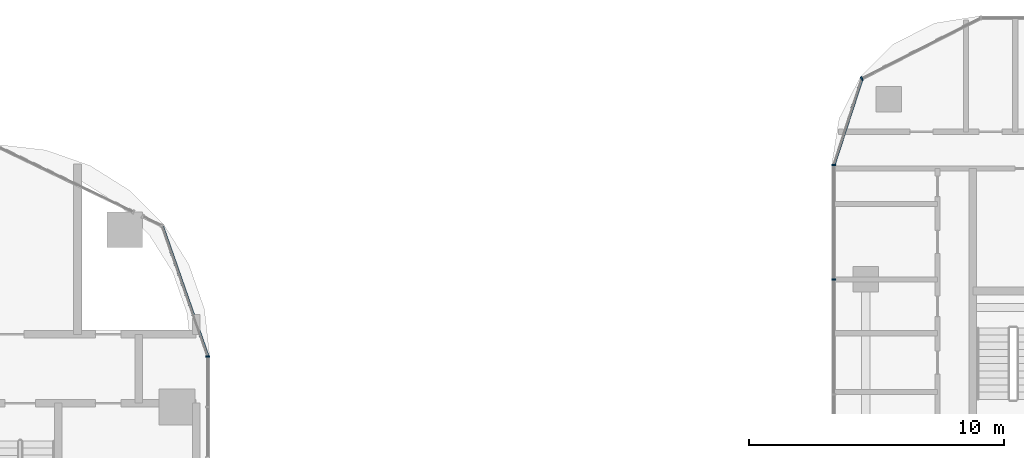
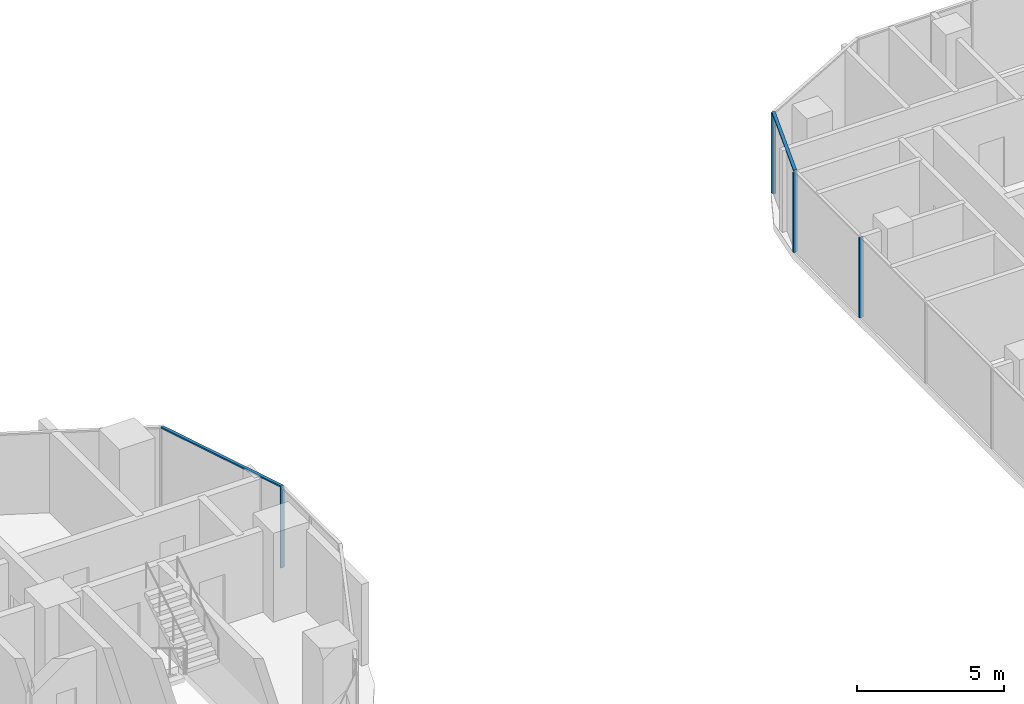
# One storey, part 9 of 36: 6 members, 4 elements without a shape of their own.
"""IFC4 building model written with IfcOpenShell, lengths in metres."""

from ifc_helpers import new_model, si_unit, direction, frame, origin, origin_2d, place, context, subcontext, project, spatial, rectangle, extrude, material, material_profile, profile_set, type_object, element, aggregate, save


model = new_model("IFC4")

# Units and contexts
model_context = context("Model", 3, precision=1e-05, world=origin(), true_north=direction((0.0, 1.0)))
body_context = subcontext(model_context, "Body", "Model", "MODEL_VIEW")
ifc_project = project(units=[si_unit("LENGTHUNIT", "METRE"), si_unit("AREAUNIT", "SQUARE_METRE"), si_unit("VOLUMEUNIT", "CUBIC_METRE"), si_unit("PLANEANGLEUNIT", "RADIAN"), si_unit("MASSUNIT", "GRAM", prefix="KILO")], contexts=[model_context])

# Site, building, storey
site_placement = place(None, origin())
site = spatial("IfcSite", under=ifc_project, at=site_placement, CompositionType="ELEMENT")
building_placement = place(site_placement, origin())
building = spatial("IfcBuilding", under=site, at=building_placement, Name="Ogive Portal Towers", CompositionType="ELEMENT")
storey_placement = place(building_placement, frame((0.0, 0.0, 48.300048828125)))
storey = spatial("IfcBuildingStorey", under=building, at=storey_placement, Name="L10", CompositionType="ELEMENT", Elevation=48.300048828125)

# Curtain wall, member
ifc_material_1 = material(Name="Glass, clear low-iron insulated glazing", Category="glass")
curtain_wall_type_1 = type_object("IfcCurtainWallType", Name="CW FRONT RIBBON 4500", PredefinedType="NOTDEFINED", material=ifc_material_1)
curtain_wall_1_placement = place(storey_placement, origin())
curtain_wall_1 = element("IfcCurtainWall", 1, at=curtain_wall_1_placement, inside=storey, type_object=curtain_wall_type_1, Name="A:L10:f08:cw0", PredefinedType="NOTDEFINED")
ifc_material_2 = material(Name="Aluminium 6063 anodised", Category="aluminium")
ifc_material_profile_1 = material_profile(ifc_material_2, rectangle(XDim=0.159912109375, YDim=0.06005859375, at=origin_2d()), Name="AL 60x160")
ifc_profile_set_1 = profile_set([ifc_material_profile_1], Name="Aluminium 6063 anodised")
member_type_1 = type_object("IfcMemberType", Name="CW MULLION 60x160", PredefinedType="MULLION", material=ifc_profile_set_1)
member_1_placement = place(storey_placement, frame((95.705078125, 32.486328125, 0.0), z_axis=(0.0, 0.0, 1.0), x_axis=(-1.0, 0.0, 0.0)))
member_1 = element("IfcMember", 2, at=member_1_placement, type_object=member_type_1, Name="mullion", PredefinedType="MULLION", context=body_context, shape_type="SweptSolid", body=[
    extrude(rectangle(XDim=0.159912109375, YDim=0.06005859375, at=origin_2d()), origin(), (0.0, 0.0, 1.0), 3.33984375),
])
aggregate(curtain_wall_1, [member_1])

# Curtain wall, members
curtain_wall_type_2 = type_object("IfcCurtainWallType", Name="CW RESIDENCES RIBBON", PredefinedType="NOTDEFINED", material=ifc_material_1)
curtain_wall_2_placement = place(storey_placement, origin())
curtain_wall_2 = element("IfcCurtainWall", 3, at=curtain_wall_2_placement, inside=storey, type_object=curtain_wall_type_2, Name="B:L10:f11:cw0", PredefinedType="NOTDEFINED")
member_2_placement = place(storey_placement, frame((120.2451171875, 39.9873046875, 0.0), z_axis=(0.0, 0.0, 1.0), x_axis=(1.0, 0.0, 0.0)))
member_2 = element("IfcMember", 4, at=member_2_placement, type_object=member_type_1, Name="mullion", PredefinedType="MULLION", context=body_context, shape_type="SweptSolid", body=[
    extrude(rectangle(XDim=0.159912109375, YDim=0.06005859375, at=origin_2d()), origin(), (0.0, 0.0, 1.0), 3.33984375),
])
member_3_placement = place(storey_placement, frame((120.2451171875, 35.5, 0.0), z_axis=(0.0, 0.0, 1.0), x_axis=(1.0, 0.0, 0.0)))
member_3 = element("IfcMember", 5, at=member_3_placement, type_object=member_type_1, Name="mullion", PredefinedType="MULLION", context=body_context, shape_type="SweptSolid", body=[
    extrude(rectangle(XDim=0.159912109375, YDim=0.06005859375, at=origin_2d()), origin(), (0.0, 0.0, 1.0), 3.33984375),
])
aggregate(curtain_wall_2, [member_2, member_3])

# Curtain wall, member
curtain_wall_3_placement = place(storey_placement, origin())
curtain_wall_3 = element("IfcCurtainWall", 6, at=curtain_wall_3_placement, inside=storey, type_object=curtain_wall_type_2, Name="B:L10:f09:cwa", PredefinedType="NOTDEFINED")
member_4_placement = place(storey_placement, frame((121.34521484375, 43.37353515625, 0.0), z_axis=(0.0, 0.0, 1.0), x_axis=(0.45399049974, -0.891006524188, 0.0)))
member_4 = element("IfcMember", 7, at=member_4_placement, type_object=member_type_1, Name="mullion", PredefinedType="MULLION", context=body_context, shape_type="SweptSolid", body=[
    extrude(rectangle(XDim=0.159912109375, YDim=0.06005859375, at=origin_2d()), origin(), (0.0, 0.0, 1.0), 3.33984375),
])

curtain_wall_4_placement = place(storey_placement, origin())
curtain_wall_4 = element("IfcCurtainWall", 8, at=curtain_wall_4_placement, inside=storey, type_object=curtain_wall_type_1, Name="A:L10:f09:cwa~0", PredefinedType="NOTDEFINED")
ifc_material_profile_2 = material_profile(ifc_material_2, rectangle(XDim=0.1201171875, YDim=0.06005859375, at=origin_2d()), Name="AL 120x60")
ifc_profile_set_2 = profile_set([ifc_material_profile_2], Name="Aluminium 6063 anodised")
member_type_2 = type_object("IfcMemberType", Name="CW TRANSOM 60x120", PredefinedType="USERDEFINED", material=ifc_profile_set_2)
member_5_placement = place(storey_placement, frame((95.705078125, 32.486328125, 3.369873046875), z_axis=(-0.330298315777, 0.943876592884, 0.0), x_axis=(-0.943876592884, -0.330298315777, 0.0)))
member_5 = element("IfcMember", 9, at=member_5_placement, type_object=member_type_2, Name="transom", ObjectType="TRANSOM", PredefinedType="USERDEFINED", context=body_context, shape_type="SweptSolid", body=[
    extrude(rectangle(XDim=0.1201171875, YDim=0.06005859375, at=origin_2d()), origin(), (0.0, 0.0, 1.0), 5.426025390625),
])
aggregate(curtain_wall_4, [member_5])

# Member
member_6_placement = place(storey_placement, frame((121.34521484375, 43.37353515625, 3.369873046875), z_axis=(-0.308977536298, -0.951069336097, 0.0), x_axis=(0.951069336097, -0.308977536298, 0.0)))
member_6 = element("IfcMember", 10, at=member_6_placement, type_object=member_type_2, Name="transom", ObjectType="TRANSOM", PredefinedType="USERDEFINED", context=body_context, shape_type="SweptSolid", body=[
    extrude(rectangle(XDim=0.1201171875, YDim=0.06005859375, at=origin_2d()), origin(), (0.0, 0.0, 1.0), 3.560546875),
])

aggregate(curtain_wall_3, [member_6, member_4])

save(model, "model.ifc")
